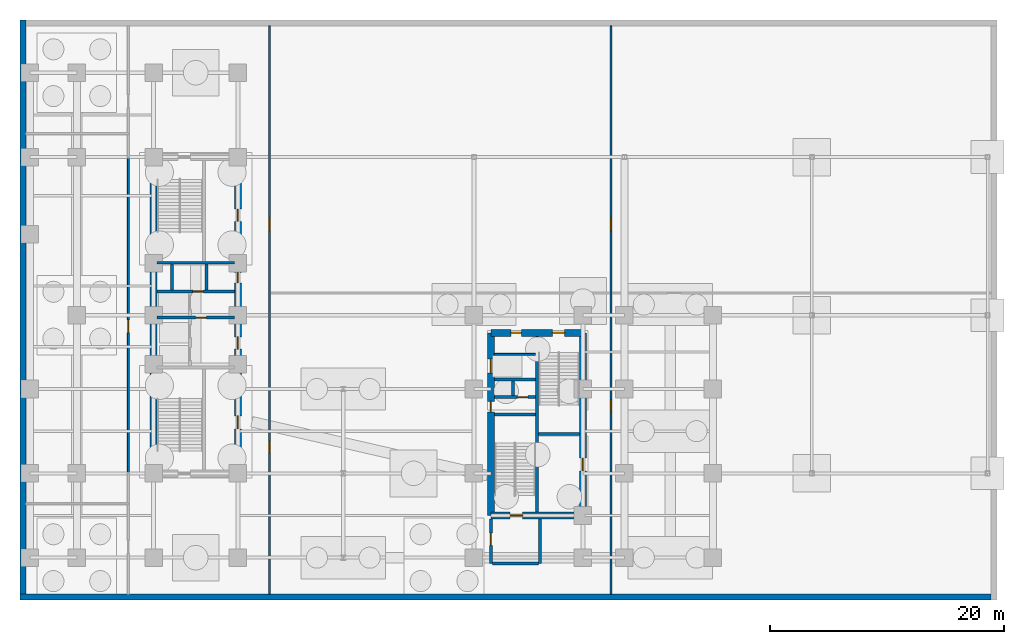
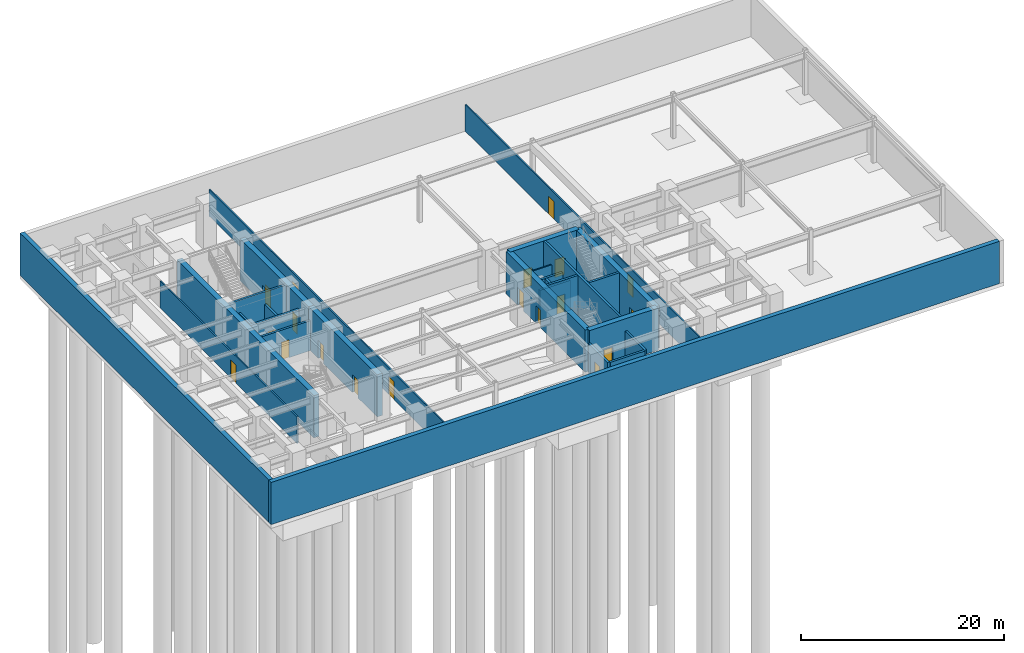
# One storey, part 6 of 11: 27 walls, 19 doors, 19 openings.
"""IFC4 building model written with IfcOpenShell, lengths in metres."""

import ifcopenshell
import ifcopenshell.guid

model = None  # the IFC model being written
_history = None  # IfcOwnerHistory: only IFC2X3 demands one
_inside = {}  # id of a spatial element -> (the spatial element, [elements in it])
_under = {}  # id of a project, library or spatial element -> (it, [spatial elements below it])
_declared = {}  # id of a project -> (the project, [libraries it declares])
_typed = {}  # id of a type object -> (the type object, [elements of that type])
_made_of = {}  # id of a material, layer set ... -> (it, [elements and type objects made of it])


def new_model(schema):
    """Start an empty IFC model of exactly this schema.

    Asked for "IFC4X3", IfcOpenShell would pick the latest addendum, in which some entities
    have other attributes; the version numbers below select the first issue.
    IFC2X3 requires an IfcOwnerHistory on every rooted entity: one is made here for all.
    """
    global model, _history
    if schema == "IFC4X3":
        model = ifcopenshell.file(schema_version=(4, 3, 0, 0))
    else:
        model = ifcopenshell.file(schema=schema)
    _inside.clear()
    _under.clear()
    _declared.clear()
    _typed.clear()
    _made_of.clear()
    _history = None
    if model.schema == "IFC2X3":
        org = make("IfcOrganization", Name="unknown")
        user = make(
            "IfcPersonAndOrganization",
            ThePerson=make("IfcPerson", FamilyName="unknown"),
            TheOrganization=org,
        )
        app = make(
            "IfcApplication",
            ApplicationDeveloper=org,
            Version="unknown",
            ApplicationFullName="unknown",
            ApplicationIdentifier="unknown",
        )
        _history = make(
            "IfcOwnerHistory",
            OwningUser=user,
            OwningApplication=app,
            ChangeAction="ADDED",
            CreationDate=0,
        )
    return model


def make(cls, **values):
    """One entity of the class cls with the attributes given. An attribute that is None is left unset."""
    return model.create_entity(
        cls, **{name: value for name, value in values.items() if value is not None}
    )


def entity(cls, *values):
    """Any entity or typed value of the class cls, its attributes in the order of the schema. None: left unset."""
    e = model.create_entity(cls)
    for i, value in enumerate(values):
        if value is not None:
            e[i] = value
    return e


def rooted(cls, **values):
    """An entity with a GlobalId (a new one), such as an element, a storey or a relation."""
    return make(cls, GlobalId=ifcopenshell.guid.new(), OwnerHistory=_history, **values)


def si_unit(unit_type, name, prefix=None):
    """IfcSIUnit, for example si_unit("LENGTHUNIT", "METRE", prefix="MILLI")."""
    return make("IfcSIUnit", UnitType=unit_type, Prefix=prefix, Name=name)


def converted_unit(unit_type, name, factor, base, dimensions=None, offset=None):
    """IfcConversionBasedUnit, such as the inch: factor (a typed value) times the base unit."""
    return make(
        "IfcConversionBasedUnit"
        if offset is None
        else "IfcConversionBasedUnitWithOffset",
        ConversionOffset=offset,
        Dimensions=None
        if dimensions is None
        else entity("IfcDimensionalExponents", *dimensions),
        UnitType=unit_type,
        Name=name,
        ConversionFactor=make(
            "IfcMeasureWithUnit", ValueComponent=factor, UnitComponent=base
        ),
    )


def assignment(units):
    """IfcUnitAssignment: the units of a project."""
    return None if units is None else make("IfcUnitAssignment", Units=units)


def point(xyz):
    """IfcCartesianPoint."""
    return None if xyz is None else make("IfcCartesianPoint", Coordinates=xyz)


def direction(xyz):
    """IfcDirection."""
    return None if xyz is None else make("IfcDirection", DirectionRatios=xyz)


def frame(location, z_axis=None, x_axis=None):
    """IfcAxis2Placement3D, a coordinate frame: its origin and axes. An axis left out is left unset."""
    return make(
        "IfcAxis2Placement3D",
        Location=point(location),
        Axis=direction(z_axis),
        RefDirection=direction(x_axis),
    )


def frame_2d(location, x_axis=None):
    """IfcAxis2Placement2D, a coordinate frame in the plane: its origin and x axis."""
    return make(
        "IfcAxis2Placement2D", Location=point(location), RefDirection=direction(x_axis)
    )


def origin_with_axes():
    """The frame at (0, 0, 0) with the z axis (0, 0, 1) and the x axis (1, 0, 0) written out."""
    return frame((0.0, 0.0, 0.0), z_axis=(0.0, 0.0, 1.0), x_axis=(1.0, 0.0, 0.0))


def origin_2d_with_axis():
    """The frame at (0, 0) in the plane with the x axis (1, 0) written out."""
    return frame_2d((0.0, 0.0), x_axis=(1.0, 0.0))


def place(relative_to, where):
    """IfcLocalPlacement: puts the frame where relative to a parent placement (None: the world)."""
    return make(
        "IfcLocalPlacement", PlacementRelTo=relative_to, RelativePlacement=where
    )


def context(
    kind, dimensions, precision=None, world=None, true_north=None, identifier=None
):
    """IfcGeometricRepresentationContext, for example the 3D "Model" context."""
    return make(
        "IfcGeometricRepresentationContext",
        ContextIdentifier=identifier,
        ContextType=kind,
        CoordinateSpaceDimension=dimensions,
        Precision=precision,
        WorldCoordinateSystem=world,
        TrueNorth=true_north,
    )


def subcontext(parent, identifier, kind, view, scale=None):
    """IfcGeometricRepresentationSubContext, for example "Body" below "Model"."""
    return make(
        "IfcGeometricRepresentationSubContext",
        ContextIdentifier=identifier,
        ContextType=kind,
        ParentContext=parent,
        TargetScale=scale,
        TargetView=view,
    )


def project(units=None, contexts=None):
    """IfcProject with its units and contexts."""
    return rooted(
        "IfcProject",
        Name="project",
        RepresentationContexts=contexts,
        UnitsInContext=assignment(units),
    )


def spatial(cls, under=None, at=None, **own):
    """A site, building, storey or space (cls), placed at a placement, below another one or the project."""
    s = rooted(cls, ObjectPlacement=at, **own)
    if under is not None:
        _under.setdefault(under.id(), (under, []))[1].append(s)
    return s


def polyline(points):
    """IfcPolyline through the points."""
    return make("IfcPolyline", Points=[point(p) for p in points])


def profile(cls, at=None, kind="AREA", **sizes):
    """A parametric profile (cls). Its sizes go by their IFC names, for example OverallWidth=200.0."""
    return make(cls, ProfileType=kind, Position=at, **sizes)


def rectangle(**sizes):
    """IfcRectangleProfileDef."""
    return profile("IfcRectangleProfileDef", **sizes)


def outline(outer, holes=None, kind="AREA"):
    """IfcArbitraryClosedProfileDef: a profile drawn as a closed curve; with holes, ...WithVoids."""
    if holes is None:
        return make("IfcArbitraryClosedProfileDef", ProfileType=kind, OuterCurve=outer)
    return make(
        "IfcArbitraryProfileDefWithVoids",
        ProfileType=kind,
        OuterCurve=outer,
        InnerCurves=holes,
    )


def extrude(swept, where, along, depth):
    """IfcExtrudedAreaSolid: the profile swept, set in the frame where, extruded along a direction by depth."""
    return make(
        "IfcExtrudedAreaSolid",
        SweptArea=swept,
        Position=where,
        ExtrudedDirection=direction(along),
        Depth=depth,
    )


def shape(context_of_items, identifier, shape_type, items):
    """IfcShapeRepresentation: the items that make up one representation, for example the "Body"."""
    return make(
        "IfcShapeRepresentation",
        ContextOfItems=context_of_items,
        RepresentationIdentifier=identifier,
        RepresentationType=shape_type,
        Items=items,
    )


def material(Name=None, Category=None):
    """IfcMaterial."""
    return make("IfcMaterial", Name=Name, Category=Category)


def layer(
    of_material, thickness, ventilated=None, Name=None, Category=None, Priority=None
):
    """IfcMaterialLayer: one layer of a wall or slab, of a material (None: an air gap)."""
    return make(
        "IfcMaterialLayer",
        Material=of_material,
        LayerThickness=thickness,
        IsVentilated=ventilated,
        Name=Name,
        Category=Category,
        Priority=Priority,
    )


def layer_set(layers, Name=None):
    """IfcMaterialLayerSet."""
    return make("IfcMaterialLayerSet", MaterialLayers=layers, LayerSetName=Name)


def made_of(thing, what):
    """Note that an element or type object is made of a material, layer set ...; save() writes the relation."""
    if what is not None:
        _made_of.setdefault(what.id(), (what, []))[1].append(thing)
    return thing


def type_object(cls, material=None, **own):
    """A type object (cls), such as IfcWallType, which elements share."""
    return made_of(rooted(cls, **own), material)


def element(
    cls,
    number,
    at=None,
    inside=None,
    cuts=None,
    type_object=None,
    material=None,
    context=None,
    identifier="Body",
    shape_type=None,
    held_by="IfcProductDefinitionShape",
    body=None,
    shapes=None,
    **own,
):
    """One element of the class cls, such as IfcWall. Its Tag is "e" and its number.

    at: its placement. inside: the storey or other place that contains it. cuts: it is an
    opening in that element (IfcRelVoidsElement). A single representation is given by context,
    identifier, shape_type and body (its items); several are given by shapes. held_by: the class
    of the entity that holds the representations. save() writes the other relations.
    """
    e = rooted(cls, Tag="e%d" % number, ObjectPlacement=at, **own)
    if body is not None:
        shapes = [shape(context, identifier, shape_type, body)]
    if shapes is not None:
        e.Representation = make(held_by, Representations=shapes)
    if inside is not None:
        _inside.setdefault(inside.id(), (inside, []))[1].append(e)
    if cuts is not None:
        rooted(
            "IfcRelVoidsElement", RelatingBuildingElement=cuts, RelatedOpeningElement=e
        )
    if type_object is not None:
        _typed.setdefault(type_object.id(), (type_object, []))[1].append(e)
    return made_of(e, material)


def fill(opening, filler):
    """IfcRelFillsElement: the door or window that sits in an opening."""
    return rooted(
        "IfcRelFillsElement",
        RelatingOpeningElement=opening,
        RelatedBuildingElement=filler,
    )


def aggregate(whole, parts):
    """IfcRelAggregates: a whole, such as a stair, and the parts it consists of."""
    return rooted("IfcRelAggregates", RelatingObject=whole, RelatedObjects=parts)


def save(model, path):
    """Write the relations noted so far, then the file.

    IfcRelAggregates (storeys below a building ...), IfcRelContainedInSpatialStructure (elements
    in a storey), IfcRelDefinesByType, IfcRelAssociatesMaterial and IfcRelDeclares: one each for
    every whole, place, type object, material and project.
    """
    for whole, parts in _under.values():
        aggregate(whole, parts)
    for where, things in _inside.values():
        rooted(
            "IfcRelContainedInSpatialStructure",
            RelatedElements=things,
            RelatingStructure=where,
        )
    for kind, things in _typed.values():
        rooted("IfcRelDefinesByType", RelatedObjects=things, RelatingType=kind)
    for what, things in _made_of.values():
        rooted("IfcRelAssociatesMaterial", RelatedObjects=things, RelatingMaterial=what)
    for by, libraries in _declared.values():
        rooted("IfcRelDeclares", RelatingContext=by, RelatedDefinitions=libraries)
    model.write(path)


model = new_model("IFC4")

# Units and contexts
model_context = context("Model", 3, precision=1e-05, world=origin_with_axes(), true_north=direction((0.0, 1.0)))
body_context = subcontext(model_context, "Body", "Model", "MODEL_VIEW")
ifc_project = project(units=[si_unit("LENGTHUNIT", "METRE"), si_unit("AREAUNIT", "SQUARE_METRE"), si_unit("VOLUMEUNIT", "CUBIC_METRE"), converted_unit("PLANEANGLEUNIT", "DEGREE", entity("IfcPlaneAngleMeasure", 0.017453292519943295), si_unit("PLANEANGLEUNIT", "RADIAN"), dimensions=[0, 0, 0, 0, 0, 0, 0]), si_unit("MASSUNIT", "GRAM", prefix="KILO"), si_unit("THERMODYNAMICTEMPERATUREUNIT", "KELVIN")], contexts=[model_context])

# Site, building, storey
site_placement = place(None, origin_with_axes())
site = spatial("IfcSite", under=ifc_project, at=site_placement, CompositionType="ELEMENT")
building_placement = place(site_placement, origin_with_axes())
building = spatial("IfcBuilding", under=site, at=building_placement, Name="Varnlund Millrace Tower", CompositionType="ELEMENT")
storey_placement = place(building_placement, frame((0.0, 0.0, -10.2), z_axis=(0.0, 0.0, 1.0), x_axis=(1.0, 0.0, 0.0)))
storey = spatial("IfcBuildingStorey", under=building, at=storey_placement, Name="B2", CompositionType="ELEMENT", Elevation=-10.2)

# Wall
ifc_material_1 = material(Name="Concrete C80/95", Category="concrete")
ifc_layer_1 = layer(ifc_material_1, 0.6, Name="Concrete C80/95")
ifc_layer_set_1 = layer_set([ifc_layer_1], Name="Concrete C80/95")
wall_type_1 = type_object("IfcWallType", Name="Type-CoreWall-Shear-600-C80", PredefinedType="SHEAR", material=ifc_layer_set_1)
wall_1_placement = place(storey_placement, frame((11.4, 10.8, 0.0), z_axis=(0.0, 0.0, 1.0), x_axis=(0.0, 1.0, 0.0)))
element("IfcWall", 1, at=wall_1_placement, inside=storey, type_object=wall_type_1, Name="Type-CoreWall-Shear-600-C80", PredefinedType="SHEAR", context=body_context, shape_type="SweptSolid", body=[
    extrude(outline(polyline([(0.0, -0.3), (27.0, -0.3), (27.0, 0.3), (0.0, 0.3), (0.0, -0.3)])), origin_with_axes(), (0.0, 0.0, 1.0), 5.08),
])

# Wall, openings, doors
wall_2_placement = place(storey_placement, frame((18.6, 10.8, 0.0), z_axis=(0.0, 0.0, 1.0), x_axis=(0.0, 1.0, 0.0)))
wall_2 = element("IfcWall", 2, at=wall_2_placement, inside=storey, type_object=wall_type_1, Name="Type-CoreWall-Shear-600-C80", PredefinedType="SHEAR", context=body_context, shape_type="SweptSolid", body=[
    extrude(outline(polyline([(0.0, -0.3), (13.5, -0.3), (13.5, 0.3), (0.0, 0.3), (0.0, -0.3)])), origin_with_axes(), (0.0, 0.0, 1.0), 5.08),
])
opening_1_placement = place(wall_2_placement, frame((11.125, 0.0, 0.0), z_axis=(0.0, 0.0, 1.0), x_axis=(1.0, 0.0, 0.0)))
opening_1 = element("IfcOpeningElement", 3, at=opening_1_placement, cuts=wall_2, Name="Opening B2:DR-FFLOB-A", PredefinedType="OPENING", context=body_context, shape_type="SweptSolid", body=[
    extrude(rectangle(XDim=1.05, YDim=0.62, at=origin_2d_with_axis()), origin_with_axes(), (0.0, 0.0, 1.0), 2.15),
])
opening_2_placement = place(wall_2_placement, frame((4.35, 0.0, 0.0), z_axis=(0.0, 0.0, 1.0), x_axis=(1.0, 0.0, 0.0)))
opening_2 = element("IfcOpeningElement", 4, at=opening_2_placement, cuts=wall_2, Name="Opening B2:DR-SUB-PIT1", PredefinedType="OPENING", context=body_context, shape_type="SweptSolid", body=[
    extrude(rectangle(XDim=1.1, YDim=0.62, at=origin_2d_with_axis()), origin_with_axes(), (0.0, 0.0, 1.0), 2.15),
])
ifc_material_2 = material(Name="Smoke-barrier hollow steel fire door", Category="steel")
door_type_1 = type_object("IfcDoorType", Name="Type-FireDoor-Lobby-1050X2150", OperationType="NOTDEFINED", PredefinedType="DOOR", material=ifc_material_2)
door_1_placement = place(wall_2_placement, frame((11.125, 0.0, 0.0), z_axis=(0.0, 0.0, 1.0), x_axis=(1.0, 0.0, 0.0)))
door_1 = element("IfcDoor", 5, at=door_1_placement, inside=storey, type_object=door_type_1, Name="Type-FireDoor-Lobby-1050X2150", OperationType="SINGLE_SWING_LEFT", OverallHeight=2.15, OverallWidth=1.05, PredefinedType="DOOR", context=body_context, shape_type="SweptSolid", body=[
    extrude(rectangle(XDim=1.05, YDim=0.09, at=origin_2d_with_axis()), origin_with_axes(), (0.0, 0.0, 1.0), 2.15),
])
fill(opening_1, door_1)
ifc_material_3 = material(Name="Fire-rated mechanical room steel door", Category="steel")
door_type_2 = type_object("IfcDoorType", Name="Type-FireDoor-Plant-1100X2150", OperationType="NOTDEFINED", PredefinedType="DOOR", material=ifc_material_3)
door_2_placement = place(wall_2_placement, frame((4.35, 0.0, 0.0), z_axis=(0.0, 0.0, 1.0), x_axis=(1.0, 0.0, 0.0)))
door_2 = element("IfcDoor", 6, at=door_2_placement, inside=storey, type_object=door_type_2, Name="Type-FireDoor-Plant-1100X2150", OperationType="SINGLE_SWING_LEFT", OverallHeight=2.15, OverallWidth=1.1, PredefinedType="DOOR", context=body_context, shape_type="SweptSolid", body=[
    extrude(rectangle(XDim=1.1, YDim=0.09, at=origin_2d_with_axis()), origin_with_axes(), (0.0, 0.0, 1.0), 2.15),
])
fill(opening_2, door_2)

wall_3_placement = place(storey_placement, frame((18.6, 24.3, 0.0), z_axis=(0.0, 0.0, 1.0), x_axis=(0.0, 1.0, 0.0)))
wall_3 = element("IfcWall", 7, at=wall_3_placement, inside=storey, type_object=wall_type_1, Name="Type-CoreWall-Shear-600-C80", PredefinedType="SHEAR", context=body_context, shape_type="SweptSolid", body=[
    extrude(outline(polyline([(0.0, -0.3), (13.5, -0.3), (13.5, 0.3), (0.0, 0.3), (0.0, -0.3)])), origin_with_axes(), (0.0, 0.0, 1.0), 5.08),
])
opening_3_placement = place(wall_3_placement, frame((3.2, 0.0, 0.0), z_axis=(0.0, 0.0, 1.0), x_axis=(1.0, 0.0, 0.0)))
opening_3 = element("IfcOpeningElement", 8, at=opening_3_placement, cuts=wall_3, Name="Opening B2:DR-ROB", PredefinedType="OPENING", context=body_context, shape_type="SweptSolid", body=[
    extrude(rectangle(XDim=0.9, YDim=0.62, at=origin_2d_with_axis()), origin_with_axes(), (0.0, 0.0, 1.0), 2.15),
])
opening_4_placement = place(wall_3_placement, frame((8.525, 0.0, 0.0), z_axis=(0.0, 0.0, 1.0), x_axis=(1.0, 0.0, 0.0)))
opening_4 = element("IfcOpeningElement", 9, at=opening_4_placement, cuts=wall_3, Name="Opening B2:DR-CA-WC", PredefinedType="OPENING", context=body_context, shape_type="SweptSolid", body=[
    extrude(rectangle(XDim=1.05, YDim=0.62, at=origin_2d_with_axis()), origin_with_axes(), (0.0, 0.0, 1.0), 2.15),
])
ifc_material_4 = material(Name="Fire-rated hollow steel service closet door", Category="steel")
door_type_3 = type_object("IfcDoorType", Name="Type-FireDoor-Closet-900X2150", OperationType="NOTDEFINED", PredefinedType="DOOR", material=ifc_material_4)
door_3_placement = place(wall_3_placement, frame((3.2, 0.0, 0.0), z_axis=(0.0, 0.0, 1.0), x_axis=(1.0, 0.0, 0.0)))
door_3 = element("IfcDoor", 10, at=door_3_placement, inside=storey, type_object=door_type_3, Name="Type-FireDoor-Closet-900X2150", OperationType="SINGLE_SWING_RIGHT", OverallHeight=2.15, OverallWidth=0.9, PredefinedType="DOOR", context=body_context, shape_type="SweptSolid", body=[
    extrude(rectangle(XDim=0.9, YDim=0.09, at=origin_2d_with_axis()), origin_with_axes(), (0.0, 0.0, 1.0), 2.15),
])
fill(opening_3, door_3)
door_4_placement = place(wall_3_placement, frame((8.525, 0.0, 0.0), z_axis=(0.0, 0.0, 1.0), x_axis=(1.0, 0.0, 0.0)))
door_4 = element("IfcDoor", 11, at=door_4_placement, inside=storey, type_object=door_type_1, Name="Type-FireDoor-Lobby-1050X2150", OperationType="SINGLE_SWING_LEFT", OverallHeight=2.15, OverallWidth=1.05, PredefinedType="DOOR", context=body_context, shape_type="SweptSolid", body=[
    extrude(rectangle(XDim=1.05, YDim=0.09, at=origin_2d_with_axis()), origin_with_axes(), (0.0, 0.0, 1.0), 2.15),
])
fill(opening_4, door_4)

wall_4_placement = place(storey_placement, frame((40.2, 7.2, 0.0), z_axis=(0.0, 0.0, 1.0), x_axis=(0.0, 1.0, 0.0)))
wall_4 = element("IfcWall", 12, at=wall_4_placement, inside=storey, type_object=wall_type_1, Name="Type-CoreWall-Shear-600-C80", PredefinedType="SHEAR", context=body_context, shape_type="SweptSolid", body=[
    extrude(outline(polyline([(0.0, -0.3), (15.6, -0.3), (15.6, 0.3), (0.0, 0.3), (0.0, -0.3)])), origin_with_axes(), (0.0, 0.0, 1.0), 5.08),
])
opening_5_placement = place(wall_4_placement, frame((12.75, 0.0, 0.0), z_axis=(0.0, 0.0, 1.0), x_axis=(1.0, 0.0, 0.0)))
opening_5 = element("IfcOpeningElement", 13, at=opening_5_placement, cuts=wall_4, Name="Opening B2:LD-SRV2", PredefinedType="OPENING", context=body_context, shape_type="SweptSolid", body=[
    extrude(rectangle(XDim=1.2, YDim=0.62, at=origin_2d_with_axis()), origin_with_axes(), (0.0, 0.0, 1.0), 2.15),
])
opening_6_placement = place(wall_4_placement, frame((9.3, 0.0, 0.0), z_axis=(0.0, 0.0, 1.0), x_axis=(1.0, 0.0, 0.0)))
opening_6 = element("IfcOpeningElement", 14, at=opening_6_placement, cuts=wall_4, Name="Opening B2:DR-CB-JAN", PredefinedType="OPENING", context=body_context, shape_type="SweptSolid", body=[
    extrude(rectangle(XDim=0.9, YDim=0.62, at=origin_2d_with_axis()), origin_with_axes(), (0.0, 0.0, 1.0), 2.15),
])
door_5_placement = place(wall_4_placement, frame((9.3, 0.0, 0.0), z_axis=(0.0, 0.0, 1.0), x_axis=(1.0, 0.0, 0.0)))
door_5 = element("IfcDoor", 15, at=door_5_placement, inside=storey, type_object=door_type_3, Name="Type-FireDoor-Closet-900X2150", OperationType="SINGLE_SWING_RIGHT", OverallHeight=2.15, OverallWidth=0.9, PredefinedType="DOOR", context=body_context, shape_type="SweptSolid", body=[
    extrude(rectangle(XDim=0.9, YDim=0.09, at=origin_2d_with_axis()), origin_with_axes(), (0.0, 0.0, 1.0), 2.15),
])
fill(opening_6, door_5)
ifc_material_5 = material(Name="Heavy-duty freight sliding landing door")
door_type_4 = type_object("IfcDoorType", Name="Type-LiftLandingDoor-Service-1200X2150", OperationType="NOTDEFINED", PredefinedType="DOOR", material=ifc_material_5)
door_6_placement = place(wall_4_placement, frame((12.75, 0.0, 0.0), z_axis=(0.0, 0.0, 1.0), x_axis=(1.0, 0.0, 0.0)))
door_6 = element("IfcDoor", 16, at=door_6_placement, inside=storey, type_object=door_type_4, Name="Type-LiftLandingDoor-Service-1200X2150", OperationType="DOUBLE_DOOR_SLIDING", OverallHeight=2.15, OverallWidth=1.2, PredefinedType="DOOR", context=body_context, shape_type="SweptSolid", body=[
    extrude(rectangle(XDim=1.2, YDim=0.09, at=origin_2d_with_axis()), origin_with_axes(), (0.0, 0.0, 1.0), 2.15),
])
fill(opening_5, door_6)

# Wall, opening, door
wall_5_placement = place(storey_placement, frame((40.2, 7.2, 0.0), z_axis=(0.0, 0.0, 1.0), x_axis=(1.0, 0.0, 0.0)))
wall_5 = element("IfcWall", 17, at=wall_5_placement, inside=storey, type_object=wall_type_1, Name="Type-CoreWall-Shear-600-C80", PredefinedType="SHEAR", context=body_context, shape_type="SweptSolid", body=[
    extrude(outline(polyline([(0.0, -0.3), (7.85, -0.3), (7.85, 0.3), (0.0, 0.3), (0.0, -0.3)])), origin_with_axes(), (0.0, 0.0, 1.0), 5.08),
])
opening_7_placement = place(wall_5_placement, frame((2.175, 0.0, 0.0), z_axis=(0.0, 0.0, 1.0), x_axis=(1.0, 0.0, 0.0)))
opening_7 = element("IfcOpeningElement", 18, at=opening_7_placement, cuts=wall_5, Name="Opening B2:DR-STB1", PredefinedType="OPENING", context=body_context, shape_type="SweptSolid", body=[
    extrude(rectangle(XDim=1.05, YDim=0.62, at=origin_2d_with_axis()), origin_with_axes(), (0.0, 0.0, 1.0), 2.15),
])
ifc_material_6 = material(Name="Fire-rated hollow steel door", Category="steel")
door_type_5 = type_object("IfcDoorType", Name="Type-FireDoor-Stair-1050X2150", OperationType="NOTDEFINED", PredefinedType="DOOR", material=ifc_material_6)
door_7_placement = place(wall_5_placement, frame((2.175, 0.0, 0.0), z_axis=(0.0, 0.0, 1.0), x_axis=(1.0, 0.0, 0.0)))
door_7 = element("IfcDoor", 19, at=door_7_placement, inside=storey, type_object=door_type_5, Name="Type-FireDoor-Stair-1050X2150", OperationType="SINGLE_SWING_LEFT", OverallHeight=2.15, OverallWidth=1.05, PredefinedType="DOOR", context=body_context, shape_type="SweptSolid", body=[
    extrude(rectangle(XDim=1.05, YDim=0.09, at=origin_2d_with_axis()), origin_with_axes(), (0.0, 0.0, 1.0), 2.15),
])
fill(opening_7, door_7)

# Wall, openings, doors
wall_6_placement = place(storey_placement, frame((40.2, 22.8, 0.0), z_axis=(0.0, 0.0, 1.0), x_axis=(1.0, 0.0, 0.0)))
wall_6 = element("IfcWall", 20, at=wall_6_placement, inside=storey, type_object=wall_type_1, Name="Type-CoreWall-Shear-600-C80", PredefinedType="SHEAR", context=body_context, shape_type="SweptSolid", body=[
    extrude(outline(polyline([(0.0, -0.3), (7.85, -0.3), (7.85, 0.3), (0.0, 0.3), (0.0, -0.3)])), origin_with_axes(), (0.0, 0.0, 1.0), 5.08),
])
opening_8_placement = place(wall_6_placement, frame((5.775, 0.0, 0.0), z_axis=(0.0, 0.0, 1.0), x_axis=(1.0, 0.0, 0.0)))
opening_8 = element("IfcOpeningElement", 21, at=opening_8_placement, cuts=wall_6, Name="Opening B2:DR-STB2", PredefinedType="OPENING", context=body_context, shape_type="SweptSolid", body=[
    extrude(rectangle(XDim=1.05, YDim=0.62, at=origin_2d_with_axis()), origin_with_axes(), (0.0, 0.0, 1.0), 2.15),
])
opening_9_placement = place(wall_6_placement, frame((2.15, 0.0, 0.0), z_axis=(0.0, 0.0, 1.0), x_axis=(1.0, 0.0, 0.0)))
opening_9 = element("IfcOpeningElement", 22, at=opening_9_placement, cuts=wall_6, Name="Opening B2:DR-CB-NW", PredefinedType="OPENING", context=body_context, shape_type="SweptSolid", body=[
    extrude(rectangle(XDim=0.9, YDim=0.62, at=origin_2d_with_axis()), origin_with_axes(), (0.0, 0.0, 1.0), 2.15),
])
door_8_placement = place(wall_6_placement, frame((2.15, 0.0, 0.0), z_axis=(0.0, 0.0, 1.0), x_axis=(1.0, 0.0, 0.0)))
door_8 = element("IfcDoor", 23, at=door_8_placement, inside=storey, type_object=door_type_3, Name="Type-FireDoor-Closet-900X2150", OperationType="SINGLE_SWING_LEFT", OverallHeight=2.15, OverallWidth=0.9, PredefinedType="DOOR", context=body_context, shape_type="SweptSolid", body=[
    extrude(rectangle(XDim=0.9, YDim=0.09, at=origin_2d_with_axis()), origin_with_axes(), (0.0, 0.0, 1.0), 2.15),
])
fill(opening_9, door_8)
door_9_placement = place(wall_6_placement, frame((5.775, 0.0, 0.0), z_axis=(0.0, 0.0, 1.0), x_axis=(1.0, 0.0, 0.0)))
door_9 = element("IfcDoor", 24, at=door_9_placement, inside=storey, type_object=door_type_5, Name="Type-FireDoor-Stair-1050X2150", OperationType="SINGLE_SWING_RIGHT", OverallHeight=2.15, OverallWidth=1.05, PredefinedType="DOOR", context=body_context, shape_type="SweptSolid", body=[
    extrude(rectangle(XDim=1.05, YDim=0.09, at=origin_2d_with_axis()), origin_with_axes(), (0.0, 0.0, 1.0), 2.15),
])
fill(opening_8, door_9)

# Wall, opening, door
wall_7_placement = place(storey_placement, frame((48.05, 7.2, 0.0), z_axis=(0.0, 0.0, 1.0), x_axis=(0.0, 1.0, 0.0)))
wall_7 = element("IfcWall", 25, at=wall_7_placement, inside=storey, type_object=wall_type_1, Name="Type-CoreWall-Shear-600-C80", PredefinedType="SHEAR", context=body_context, shape_type="SweptSolid", body=[
    extrude(outline(polyline([(0.0, -0.3), (15.6, -0.3), (15.6, 0.3), (0.0, 0.3), (0.0, -0.3)])), origin_with_axes(), (0.0, 0.0, 1.0), 5.08),
])
opening_10_placement = place(wall_7_placement, frame((4.35, 0.0, 0.0), z_axis=(0.0, 0.0, 1.0), x_axis=(1.0, 0.0, 0.0)))
opening_10 = element("IfcOpeningElement", 26, at=opening_10_placement, cuts=wall_7, Name="Opening B2:DR-CB-PIT", PredefinedType="OPENING", context=body_context, shape_type="SweptSolid", body=[
    extrude(rectangle(XDim=1.1, YDim=0.62, at=origin_2d_with_axis()), origin_with_axes(), (0.0, 0.0, 1.0), 2.15),
])
door_10_placement = place(wall_7_placement, frame((4.35, 0.0, 0.0), z_axis=(0.0, 0.0, 1.0), x_axis=(1.0, 0.0, 0.0)))
door_10 = element("IfcDoor", 27, at=door_10_placement, inside=storey, type_object=door_type_2, Name="Type-FireDoor-Plant-1100X2150", OperationType="SINGLE_SWING_LEFT", OverallHeight=2.15, OverallWidth=1.1, PredefinedType="DOOR", context=body_context, shape_type="SweptSolid", body=[
    extrude(rectangle(XDim=1.1, YDim=0.09, at=origin_2d_with_axis()), origin_with_axes(), (0.0, 0.0, 1.0), 2.15),
])
fill(opening_10, door_10)

# Wall
ifc_material_7 = material(Name="Fire-rated gypsum board on cold-formed steel framing", Category="steel")
ifc_layer_2 = layer(ifc_material_7, 0.16, Name="Fire-rated gypsum board on cold-formed steel framing")
ifc_layer_set_2 = layer_set([ifc_layer_2], Name="Fire-rated gypsum board on cold-formed steel framing")
wall_type_2 = type_object("IfcWallType", Name="Type-Partition-Corridor-160", PredefinedType="PARTITIONING", material=ifc_layer_set_2)
wall_8_placement = place(storey_placement, frame((40.5, 20.96, 0.0), z_axis=(0.0, 0.0, 1.0), x_axis=(1.0, 0.0, 0.0)))
element("IfcWall", 28, at=wall_8_placement, inside=storey, type_object=wall_type_2, Name="Type-Partition-Corridor-160", PredefinedType="PARTITIONING", context=body_context, shape_type="SweptSolid", body=[
    extrude(outline(polyline([(0.0, -0.08), (3.5, -0.08), (3.5, 0.08), (0.0, 0.08), (0.0, -0.08)])), origin_with_axes(), (0.0, 0.0, 1.0), 3.2),
])

# Wall, opening, door
wall_9_placement = place(storey_placement, frame((9.25, 10.8, 0.0), z_axis=(0.0, 0.0, 1.0), x_axis=(0.0, 1.0, 0.0)))
wall_9 = element("IfcWall", 29, at=wall_9_placement, inside=storey, type_object=wall_type_2, Name="Type-Partition-Corridor-160", PredefinedType="PARTITIONING", context=body_context, shape_type="SweptSolid", body=[
    extrude(outline(polyline([(0.0, -0.08), (27.0, -0.08), (27.0, 0.08), (0.0, 0.08), (0.0, -0.08)])), origin_with_axes(), (0.0, 0.0, 1.0), 3.2),
])
opening_11_placement = place(wall_9_placement, frame((12.55, 0.0, 0.0), z_axis=(0.0, 0.0, 1.0), x_axis=(1.0, 0.0, 0.0)))
opening_11 = element("IfcOpeningElement", 30, at=opening_11_placement, cuts=wall_9, Name="Opening B2:DR-DOM", PredefinedType="OPENING", context=body_context, shape_type="SweptSolid", body=[
    extrude(rectangle(XDim=1.1, YDim=0.18, at=origin_2d_with_axis()), origin_with_axes(), (0.0, 0.0, 1.0), 2.15),
])
door_11_placement = place(wall_9_placement, frame((12.55, 0.0, 0.0), z_axis=(0.0, 0.0, 1.0), x_axis=(1.0, 0.0, 0.0)))
door_11 = element("IfcDoor", 31, at=door_11_placement, inside=storey, type_object=door_type_2, Name="Type-FireDoor-Plant-1100X2150", OperationType="SINGLE_SWING_LEFT", OverallHeight=2.15, OverallWidth=1.1, PredefinedType="DOOR", context=body_context, shape_type="SweptSolid", body=[
    extrude(rectangle(XDim=1.1, YDim=0.09, at=origin_2d_with_axis()), origin_with_axes(), (0.0, 0.0, 1.0), 2.15),
])
fill(opening_11, door_11)

# Wall, openings, doors
wall_10_placement = place(storey_placement, frame((21.3, 0.5, 0.0), z_axis=(0.0, 0.0, 1.0), x_axis=(0.0, 1.0, 0.0)))
wall_10 = element("IfcWall", 32, at=wall_10_placement, inside=storey, type_object=wall_type_2, Name="Type-Partition-Corridor-160", PredefinedType="PARTITIONING", context=body_context, shape_type="SweptSolid", body=[
    extrude(outline(polyline([(0.0, -0.08), (48.5, -0.08), (48.5, 0.08), (0.0, 0.08), (0.0, -0.08)])), origin_with_axes(), (0.0, 0.0, 1.0), 3.2),
])
opening_12_placement = place(wall_10_placement, frame((31.55, 0.0, 0.0), z_axis=(0.0, 0.0, 1.0), x_axis=(1.0, 0.0, 0.0)))
opening_12 = element("IfcOpeningElement", 33, at=opening_12_placement, cuts=wall_10, Name="Opening B2:DR-CHL", PredefinedType="OPENING", context=body_context, shape_type="SweptSolid", body=[
    extrude(rectangle(XDim=1.1, YDim=0.18, at=origin_2d_with_axis()), origin_with_axes(), (0.0, 0.0, 1.0), 2.15),
])
opening_13_placement = place(wall_10_placement, frame((12.55, 0.0, 0.0), z_axis=(0.0, 0.0, 1.0), x_axis=(1.0, 0.0, 0.0)))
opening_13 = element("IfcOpeningElement", 34, at=opening_13_placement, cuts=wall_10, Name="Opening B2:DR-SUB-W1", PredefinedType="OPENING", context=body_context, shape_type="SweptSolid", body=[
    extrude(rectangle(XDim=1.1, YDim=0.18, at=origin_2d_with_axis()), origin_with_axes(), (0.0, 0.0, 1.0), 2.15),
])
door_12_placement = place(wall_10_placement, frame((31.55, 0.0, 0.0), z_axis=(0.0, 0.0, 1.0), x_axis=(1.0, 0.0, 0.0)))
door_12 = element("IfcDoor", 35, at=door_12_placement, inside=storey, type_object=door_type_2, Name="Type-FireDoor-Plant-1100X2150", OperationType="SINGLE_SWING_LEFT", OverallHeight=2.15, OverallWidth=1.1, PredefinedType="DOOR", context=body_context, shape_type="SweptSolid", body=[
    extrude(rectangle(XDim=1.1, YDim=0.09, at=origin_2d_with_axis()), origin_with_axes(), (0.0, 0.0, 1.0), 2.15),
])
fill(opening_12, door_12)
door_13_placement = place(wall_10_placement, frame((12.55, 0.0, 0.0), z_axis=(0.0, 0.0, 1.0), x_axis=(1.0, 0.0, 0.0)))
door_13 = element("IfcDoor", 36, at=door_13_placement, inside=storey, type_object=door_type_2, Name="Type-FireDoor-Plant-1100X2150", OperationType="SINGLE_SWING_RIGHT", OverallHeight=2.15, OverallWidth=1.1, PredefinedType="DOOR", context=body_context, shape_type="SweptSolid", body=[
    extrude(rectangle(XDim=1.1, YDim=0.09, at=origin_2d_with_axis()), origin_with_axes(), (0.0, 0.0, 1.0), 2.15),
])
fill(opening_13, door_13)

wall_11_placement = place(storey_placement, frame((50.45, 0.5, 0.0), z_axis=(0.0, 0.0, 1.0), x_axis=(0.0, 1.0, 0.0)))
wall_11 = element("IfcWall", 37, at=wall_11_placement, inside=storey, type_object=wall_type_2, Name="Type-Partition-Corridor-160", PredefinedType="PARTITIONING", context=body_context, shape_type="SweptSolid", body=[
    extrude(outline(polyline([(0.0, -0.08), (48.5, -0.08), (48.5, 0.08), (0.0, 0.08), (0.0, -0.08)])), origin_with_axes(), (0.0, 0.0, 1.0), 3.2),
])
opening_14_placement = place(wall_11_placement, frame((31.55, 0.0, 0.0), z_axis=(0.0, 0.0, 1.0), x_axis=(1.0, 0.0, 0.0)))
opening_14 = element("IfcOpeningElement", 38, at=opening_14_placement, cuts=wall_11, Name="Opening B2:DR-TES", PredefinedType="OPENING", context=body_context, shape_type="SweptSolid", body=[
    extrude(rectangle(XDim=1.1, YDim=0.18, at=origin_2d_with_axis()), origin_with_axes(), (0.0, 0.0, 1.0), 2.15),
])
opening_15_placement = place(wall_11_placement, frame((16.05, 0.0, 0.0), z_axis=(0.0, 0.0, 1.0), x_axis=(1.0, 0.0, 0.0)))
opening_15 = element("IfcOpeningElement", 39, at=opening_15_placement, cuts=wall_11, Name="Opening B2:DR-BLR", PredefinedType="OPENING", context=body_context, shape_type="SweptSolid", body=[
    extrude(rectangle(XDim=1.1, YDim=0.18, at=origin_2d_with_axis()), origin_with_axes(), (0.0, 0.0, 1.0), 2.15),
])
door_14_placement = place(wall_11_placement, frame((31.55, 0.0, 0.0), z_axis=(0.0, 0.0, 1.0), x_axis=(1.0, 0.0, 0.0)))
door_14 = element("IfcDoor", 40, at=door_14_placement, inside=storey, type_object=door_type_2, Name="Type-FireDoor-Plant-1100X2150", OperationType="SINGLE_SWING_LEFT", OverallHeight=2.15, OverallWidth=1.1, PredefinedType="DOOR", context=body_context, shape_type="SweptSolid", body=[
    extrude(rectangle(XDim=1.1, YDim=0.09, at=origin_2d_with_axis()), origin_with_axes(), (0.0, 0.0, 1.0), 2.15),
])
fill(opening_14, door_14)
door_15_placement = place(wall_11_placement, frame((16.05, 0.0, 0.0), z_axis=(0.0, 0.0, 1.0), x_axis=(1.0, 0.0, 0.0)))
door_15 = element("IfcDoor", 41, at=door_15_placement, inside=storey, type_object=door_type_2, Name="Type-FireDoor-Plant-1100X2150", OperationType="SINGLE_SWING_LEFT", OverallHeight=2.15, OverallWidth=1.1, PredefinedType="DOOR", context=body_context, shape_type="SweptSolid", body=[
    extrude(rectangle(XDim=1.1, YDim=0.09, at=origin_2d_with_axis()), origin_with_axes(), (0.0, 0.0, 1.0), 2.15),
])
fill(opening_15, door_15)

# Wall, opening, door
ifc_material_8 = material(Name="Concrete C60/75", Category="concrete")
ifc_layer_3 = layer(ifc_material_8, 0.25, Name="Concrete C60/75")
ifc_layer_set_3 = layer_set([ifc_layer_3], Name="Concrete C60/75")
wall_type_3 = type_object("IfcWallType", Name="Type-ShaftWall-Fire-250", PredefinedType="SOLIDWALL", material=ifc_layer_set_3)
wall_12_placement = place(storey_placement, frame((11.7, 24.1, 0.0), z_axis=(0.0, 0.0, 1.0), x_axis=(1.0, 0.0, 0.0)))
wall_12 = element("IfcWall", 42, at=wall_12_placement, inside=storey, type_object=wall_type_3, Name="Type-ShaftWall-Fire-250", PredefinedType="SOLIDWALL", context=body_context, shape_type="SweptSolid", body=[
    extrude(outline(polyline([(0.0, -0.125), (6.6, -0.125), (6.6, 0.125), (0.0, 0.125), (0.0, -0.125)])), origin_with_axes(), (0.0, 0.0, 1.0), 3.6),
])
opening_16_placement = place(wall_12_placement, frame((3.75, 0.0, 0.0), z_axis=(0.0, 0.0, 1.0), x_axis=(1.0, 0.0, 0.0)))
opening_16 = element("IfcOpeningElement", 43, at=opening_16_placement, cuts=wall_12, Name="Opening B2:DR-CA-SRV1", PredefinedType="OPENING", context=body_context, shape_type="SweptSolid", body=[
    extrude(rectangle(XDim=0.9, YDim=0.27, at=origin_2d_with_axis()), origin_with_axes(), (0.0, 0.0, 1.0), 2.15),
])
door_16_placement = place(wall_12_placement, frame((3.75, 0.0, 0.0), z_axis=(0.0, 0.0, 1.0), x_axis=(1.0, 0.0, 0.0)))
door_16 = element("IfcDoor", 44, at=door_16_placement, inside=storey, type_object=door_type_3, Name="Type-FireDoor-Closet-900X2150", OperationType="SINGLE_SWING_LEFT", OverallHeight=2.15, OverallWidth=0.9, PredefinedType="DOOR", context=body_context, shape_type="SweptSolid", body=[
    extrude(rectangle(XDim=0.9, YDim=0.09, at=origin_2d_with_axis()), origin_with_axes(), (0.0, 0.0, 1.0), 2.15),
])
fill(opening_16, door_16)

wall_13_placement = place(storey_placement, frame((11.7, 26.325, 0.0), z_axis=(0.0, 0.0, 1.0), x_axis=(1.0, 0.0, 0.0)))
wall_13 = element("IfcWall", 45, at=wall_13_placement, inside=storey, type_object=wall_type_3, Name="Type-ShaftWall-Fire-250", PredefinedType="SOLIDWALL", context=body_context, shape_type="SweptSolid", body=[
    extrude(outline(polyline([(0.0, -0.125), (6.6, -0.125), (6.6, 0.125), (0.0, 0.125), (0.0, -0.125)])), origin_with_axes(), (0.0, 0.0, 1.0), 3.6),
])
opening_17_placement = place(wall_13_placement, frame((3.5, 0.0, 0.0), z_axis=(0.0, 0.0, 1.0), x_axis=(1.0, 0.0, 0.0)))
opening_17 = element("IfcOpeningElement", 46, at=opening_17_placement, cuts=wall_13, Name="Opening B2:DR-CA-ELC", PredefinedType="OPENING", context=body_context, shape_type="SweptSolid", body=[
    extrude(rectangle(XDim=0.9, YDim=0.27, at=origin_2d_with_axis()), origin_with_axes(), (0.0, 0.0, 1.0), 2.15),
])
door_17_placement = place(wall_13_placement, frame((3.5, 0.0, 0.0), z_axis=(0.0, 0.0, 1.0), x_axis=(1.0, 0.0, 0.0)))
door_17 = element("IfcDoor", 47, at=door_17_placement, inside=storey, type_object=door_type_3, Name="Type-FireDoor-Closet-900X2150", OperationType="SINGLE_SWING_LEFT", OverallHeight=2.15, OverallWidth=0.9, PredefinedType="DOOR", context=body_context, shape_type="SweptSolid", body=[
    extrude(rectangle(XDim=0.9, YDim=0.09, at=origin_2d_with_axis()), origin_with_axes(), (0.0, 0.0, 1.0), 2.15),
])
fill(opening_17, door_17)

# Walls
for number, where, z_axis, x_axis, name in (
    (48, (12.96, 26.45, 0.0), (0.0, 0.0, 1.0), (0.0, 1.0, 0.0), "Type-ShaftWall-Fire-250"),
    (49, (15.925, 26.45, 0.0), (0.0, 0.0, 1.0), (0.0, 1.0, 0.0), "Type-ShaftWall-Fire-250"),
):
    element("IfcWall", number, at=place(storey_placement, frame(where, z_axis=z_axis, x_axis=x_axis)), inside=storey, type_object=wall_type_3, Name=name, PredefinedType="SOLIDWALL", context=body_context, shape_type="SweptSolid", body=[
        extrude(outline(polyline([(0.0, -0.125), (2.2, -0.125), (2.2, 0.125), (0.0, 0.125), (0.0, -0.125)])), origin_with_axes(), (0.0, 0.0, 1.0), 3.6),
    ])

# Wall, opening, door
wall_14_placement = place(storey_placement, frame((40.5, 17.3, 0.0), z_axis=(0.0, 0.0, 1.0), x_axis=(1.0, 0.0, 0.0)))
wall_14 = element("IfcWall", 50, at=wall_14_placement, inside=storey, type_object=wall_type_3, Name="Type-ShaftWall-Fire-250", PredefinedType="SOLIDWALL", context=body_context, shape_type="SweptSolid", body=[
    extrude(outline(polyline([(0.0, -0.125), (3.5, -0.125), (3.5, 0.125), (0.0, 0.125), (0.0, -0.125)])), origin_with_axes(), (0.0, 0.0, 1.0), 3.6),
])
opening_18_placement = place(wall_14_placement, frame((2.4, 0.0, 0.0), z_axis=(0.0, 0.0, 1.0), x_axis=(1.0, 0.0, 0.0)))
opening_18 = element("IfcOpeningElement", 51, at=opening_18_placement, cuts=wall_14, Name="Opening B2:DR-CB-ELC", PredefinedType="OPENING", context=body_context, shape_type="SweptSolid", body=[
    extrude(rectangle(XDim=0.9, YDim=0.27, at=origin_2d_with_axis()), origin_with_axes(), (0.0, 0.0, 1.0), 2.15),
])
door_18_placement = place(wall_14_placement, frame((2.4, 0.0, 0.0), z_axis=(0.0, 0.0, 1.0), x_axis=(1.0, 0.0, 0.0)))
door_18 = element("IfcDoor", 52, at=door_18_placement, inside=storey, type_object=door_type_3, Name="Type-FireDoor-Closet-900X2150", OperationType="SINGLE_SWING_LEFT", OverallHeight=2.15, OverallWidth=0.9, PredefinedType="DOOR", context=body_context, shape_type="SweptSolid", body=[
    extrude(rectangle(XDim=0.9, YDim=0.09, at=origin_2d_with_axis()), origin_with_axes(), (0.0, 0.0, 1.0), 2.15),
])
fill(opening_18, door_18)

# Walls
wall_15_placement = place(storey_placement, frame((40.5, 18.8, 0.0), z_axis=(0.0, 0.0, 1.0), x_axis=(1.0, 0.0, 0.0)))
element("IfcWall", 53, at=wall_15_placement, inside=storey, type_object=wall_type_3, Name="Type-ShaftWall-Fire-250", PredefinedType="SOLIDWALL", context=body_context, shape_type="SweptSolid", body=[
    extrude(outline(polyline([(0.0, -0.125), (3.5, -0.125), (3.5, 0.125), (0.0, 0.125), (0.0, -0.125)])), origin_with_axes(), (0.0, 0.0, 1.0), 3.6),
])
wall_16_placement = place(storey_placement, frame((42.075, 17.43, 0.0), z_axis=(0.0, 0.0, 1.0), x_axis=(0.0, 1.0, 0.0)))
element("IfcWall", 54, at=wall_16_placement, inside=storey, type_object=wall_type_3, Name="Type-ShaftWall-Fire-250", PredefinedType="SOLIDWALL", context=body_context, shape_type="SweptSolid", body=[
    extrude(outline(polyline([(0.0, -0.125), (1.24, -0.125), (1.24, 0.125), (0.0, 0.125), (0.0, -0.125)])), origin_with_axes(), (0.0, 0.0, 1.0), 3.6),
])

# Wall, opening, door
wall_17_placement = place(storey_placement, frame((40.2, 3.1, 0.0), z_axis=(0.0, 0.0, 1.0), x_axis=(0.0, 1.0, 0.0)))
wall_17 = element("IfcWall", 55, at=wall_17_placement, inside=storey, type_object=wall_type_3, Name="Type-ShaftWall-Fire-250", PredefinedType="SOLIDWALL", context=body_context, shape_type="SweptSolid", body=[
    extrude(outline(polyline([(0.0, -0.125), (3.8, -0.125), (3.8, 0.125), (0.0, 0.125), (0.0, -0.125)])), origin_with_axes(), (0.0, 0.0, 1.0), 3.6),
])
opening_19_placement = place(wall_17_placement, frame((2.075, 0.0, 0.0), z_axis=(0.0, 0.0, 1.0), x_axis=(1.0, 0.0, 0.0)))
opening_19 = element("IfcOpeningElement", 56, at=opening_19_placement, cuts=wall_17, Name="Opening B2:DR-FFLOB-B", PredefinedType="OPENING", context=body_context, shape_type="SweptSolid", body=[
    extrude(rectangle(XDim=1.05, YDim=0.27, at=origin_2d_with_axis()), origin_with_axes(), (0.0, 0.0, 1.0), 2.15),
])
door_19_placement = place(wall_17_placement, frame((2.075, 0.0, 0.0), z_axis=(0.0, 0.0, 1.0), x_axis=(1.0, 0.0, 0.0)))
door_19 = element("IfcDoor", 57, at=door_19_placement, inside=storey, type_object=door_type_1, Name="Type-FireDoor-Lobby-1050X2150", OperationType="SINGLE_SWING_LEFT", OverallHeight=2.15, OverallWidth=1.05, PredefinedType="DOOR", context=body_context, shape_type="SweptSolid", body=[
    extrude(rectangle(XDim=1.05, YDim=0.09, at=origin_2d_with_axis()), origin_with_axes(), (0.0, 0.0, 1.0), 2.15),
])
fill(opening_19, door_19)

# Walls
wall_18_placement = place(storey_placement, frame((40.325, 3.1, 0.0), z_axis=(0.0, 0.0, 1.0), x_axis=(1.0, 0.0, 0.0)))
element("IfcWall", 58, at=wall_18_placement, inside=storey, type_object=wall_type_3, Name="Type-ShaftWall-Fire-250", PredefinedType="SOLIDWALL", context=body_context, shape_type="SweptSolid", body=[
    extrude(outline(polyline([(0.0, -0.125), (3.95, -0.125), (3.95, 0.125), (0.0, 0.125), (0.0, -0.125)])), origin_with_axes(), (0.0, 0.0, 1.0), 3.6),
])
wall_19_placement = place(storey_placement, frame((44.4, 3.1, 0.0), z_axis=(0.0, 0.0, 1.0), x_axis=(0.0, 1.0, 0.0)))
element("IfcWall", 59, at=wall_19_placement, inside=storey, type_object=wall_type_3, Name="Type-ShaftWall-Fire-250", PredefinedType="SOLIDWALL", context=body_context, shape_type="SweptSolid", body=[
    extrude(outline(polyline([(0.0, -0.125), (3.8, -0.125), (3.8, 0.125), (0.0, 0.125), (0.0, -0.125)])), origin_with_axes(), (0.0, 0.0, 1.0), 3.6),
])
wall_type_4 = type_object("IfcWallType", Name="Type-StairWall-Shear-250", PredefinedType="SHEAR", material=ifc_layer_set_3)
wall_20_placement = place(storey_placement, frame((11.7, 28.775, 0.0), z_axis=(0.0, 0.0, 1.0), x_axis=(1.0, 0.0, 0.0)))
element("IfcWall", 60, at=wall_20_placement, inside=storey, type_object=wall_type_4, Name="Type-StairWall-Shear-250", PredefinedType="SHEAR", context=body_context, shape_type="SweptSolid", body=[
    extrude(outline(polyline([(0.0, -0.125), (6.6, -0.125), (6.6, 0.125), (0.0, 0.125), (0.0, -0.125)])), origin_with_axes(), (0.0, 0.0, 1.0), 5.08),
])
wall_21_placement = place(storey_placement, frame((44.125, 7.5, 0.0), z_axis=(0.0, 0.0, 1.0), x_axis=(0.0, 1.0, 0.0)))
element("IfcWall", 61, at=wall_21_placement, inside=storey, type_object=wall_type_4, Name="Type-StairWall-Shear-250", PredefinedType="SHEAR", context=body_context, shape_type="SweptSolid", body=[
    extrude(outline(polyline([(0.0, -0.125), (15.0, -0.125), (15.0, 0.125), (0.0, 0.125), (0.0, -0.125)])), origin_with_axes(), (0.0, 0.0, 1.0), 5.08),
])
for number, where, z_axis, x_axis, name in (
    (62, (40.5, 15.825, 0.0), (0.0, 0.0, 1.0), (1.0, 0.0, 0.0), "Type-StairWall-Shear-250"),
    (63, (44.25, 14.175, 0.0), (0.0, 0.0, 1.0), (1.0, 0.0, 0.0), "Type-StairWall-Shear-250"),
):
    element("IfcWall", number, at=place(storey_placement, frame(where, z_axis=z_axis, x_axis=x_axis)), inside=storey, type_object=wall_type_4, Name=name, PredefinedType="SHEAR", context=body_context, shape_type="SweptSolid", body=[
        extrude(outline(polyline([(0.0, -0.125), (3.5, -0.125), (3.5, 0.125), (0.0, 0.125), (0.0, -0.125)])), origin_with_axes(), (0.0, 0.0, 1.0), 5.08),
    ])
ifc_material_9 = material(Name="Concrete C50/60", Category="concrete")
ifc_layer_4 = layer(ifc_material_9, 0.5, Name="Concrete C50/60")
ifc_layer_set_4 = layer_set([ifc_layer_4], Name="Concrete C50/60")
wall_type_5 = type_object("IfcWallType", Name="Type-Subgrade-Wall-500", PredefinedType="USERDEFINED", material=ifc_layer_set_4)
wall_22_placement = place(storey_placement, frame((0.25, 0.5, 0.0), z_axis=(0.0, 0.0, 1.0), x_axis=(0.0, 1.0, 0.0)))
element("IfcWall", 64, at=wall_22_placement, inside=storey, type_object=wall_type_5, Name="Type-Subgrade-Wall-500", ObjectType="RETAININGWALL", PredefinedType="USERDEFINED", context=body_context, shape_type="SweptSolid", body=[
    extrude(outline(polyline([(0.0, -0.25), (49.0, -0.25), (49.0, 0.25), (0.0, 0.25), (0.0, -0.25)])), origin_with_axes(), (0.0, 0.0, 1.0), 5.08),
])
wall_23_placement = place(storey_placement, frame((82.9, 0.25, 0.0), z_axis=(0.0, 0.0, 1.0), x_axis=(-1.0, 0.0, 0.0)))
element("IfcWall", 65, at=wall_23_placement, inside=storey, type_object=wall_type_5, Name="Type-Subgrade-Wall-500", ObjectType="RETAININGWALL", PredefinedType="USERDEFINED", context=body_context, shape_type="SweptSolid", body=[
    extrude(outline(polyline([(0.0, -0.25), (82.9, -0.25), (82.9, 0.25), (0.0, 0.25), (0.0, -0.25)])), origin_with_axes(), (0.0, 0.0, 1.0), 5.08),
])

save(model, "model.ifc")
